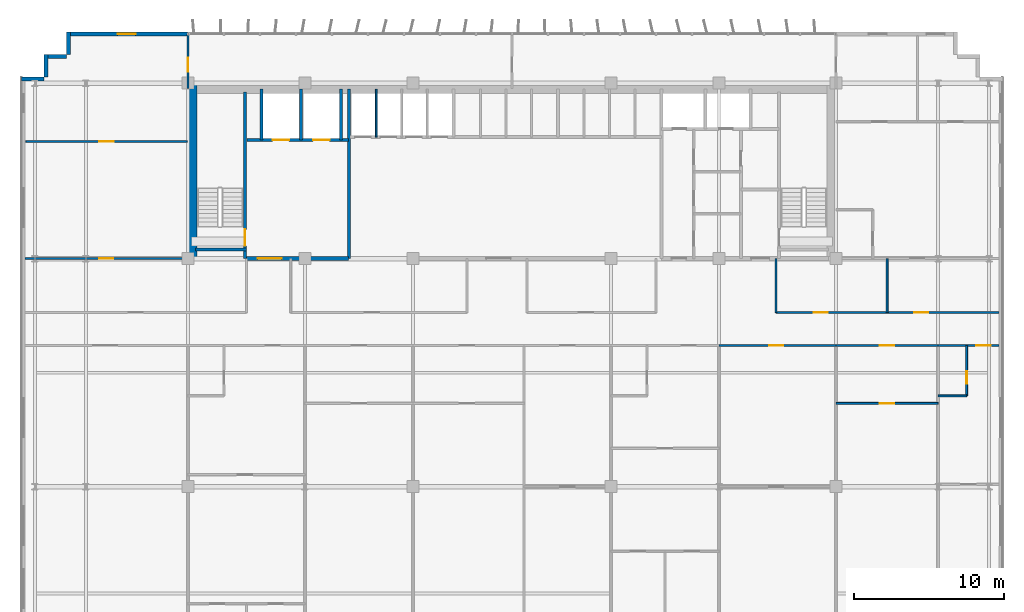
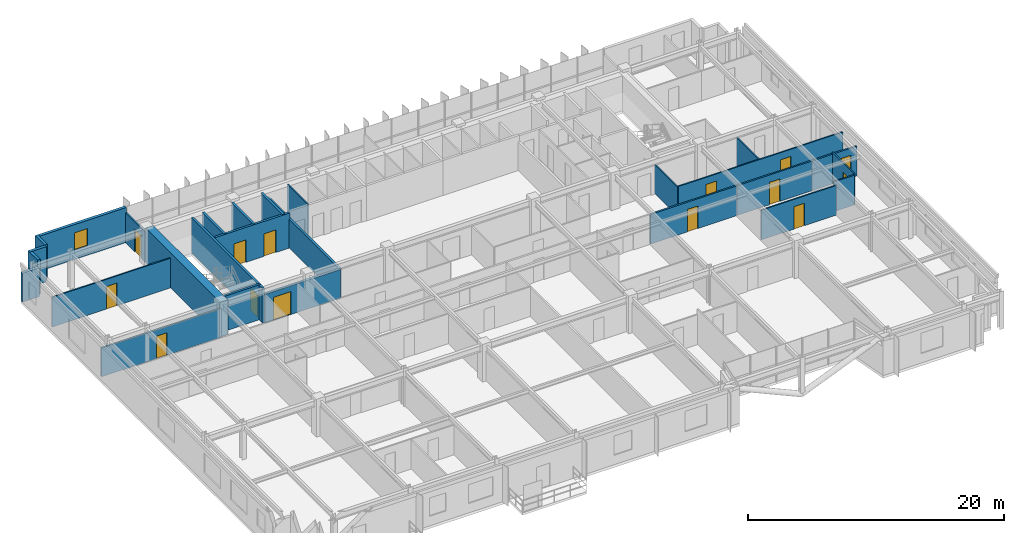
# One storey, part 21 of 26: 27 walls, 14 doors, 1 window, 15 openings.
"""IFC4 building model written with IfcOpenShell, lengths in metres."""

from ifc_helpers import new_model, si_unit, direction, frame, frame_2d, origin, place, context, subcontext, project, spatial, rectangle, extrude, source, transform, mapped, material, layer, layer_set, type_object, element, fill, save


model = new_model("IFC4")

# Units and contexts
model_context = context("Model", 3, precision=1e-05, world=origin(), true_north=direction((0.0, 1.0)))
body_context = subcontext(model_context, "Body", "Model", "MODEL_VIEW")
ifc_project = project(units=[si_unit("LENGTHUNIT", "METRE"), si_unit("AREAUNIT", "SQUARE_METRE"), si_unit("VOLUMEUNIT", "CUBIC_METRE"), si_unit("PLANEANGLEUNIT", "RADIAN"), si_unit("MASSUNIT", "GRAM", prefix="KILO")], contexts=[model_context])

# Site, building, storey
site_placement = place(None, origin())
site = spatial("IfcSite", under=ifc_project, at=site_placement, CompositionType="ELEMENT")
building_placement = place(site_placement, origin())
building = spatial("IfcBuilding", under=site, at=building_placement, Name="Trelvane Seafront Commons", CompositionType="ELEMENT")
storey_placement = place(building_placement, frame((0.0, 0.0, 124.89990234375)))
storey = spatial("IfcBuildingStorey", under=building, at=storey_placement, Name="L32", CompositionType="ELEMENT", Elevation=124.89990234375)

# Wall, opening, window
ifc_material_1 = material(Name="Precast concrete C40/50", Category="concrete")
ifc_layer_1 = layer(ifc_material_1, 0.260009765625, Name="ARCH-WALL-EXT260")
ifc_layer_set_1 = layer_set([ifc_layer_1], Name="Precast concrete C40/50")
wall_type_1 = type_object("IfcWallType", Name="ARCH-WALL-EXT260", PredefinedType="SOLIDWALL", material=ifc_layer_set_1)
wall_1_placement = place(storey_placement, frame((7.60009765625, 48.3701171875, 0.0), z_axis=(0.0, 0.0, 1.0), x_axis=(1.0, 0.0, 0.0)))
wall_1 = element("IfcWall", 1, at=wall_1_placement, inside=storey, type_object=wall_type_1, Name="EW-L32-NW-0605", PredefinedType="SOLIDWALL", context=body_context, shape_type="SweptSolid", body=[
    extrude(rectangle(XDim=8.0, YDim=0.260009765625, at=frame_2d((4.0, 0.0))), origin(), (0.0, 0.0, 1.0), 3.340087890625),
])
opening_1_placement = place(wall_1_placement, frame((3.30810546875, 0.0, 0.89990234375)))
opening_1 = element("IfcOpeningElement", 2, at=opening_1_placement, cuts=wall_1, Name="Opening W05", PredefinedType="OPENING", context=body_context, shape_type="SweptSolid", body=[
    extrude(rectangle(XDim=1.199951171875, YDim=1.64990234375, at=frame_2d((0.60009765625, 0.824951171875))), frame((0.0, 0.139892578125, 0.0), z_axis=(0.0, -1.0, 0.0), x_axis=(1.0, 0.0, 0.0)), (0.0, 0.0, 1.0), 0.280029296875),
])
ifc_material_2 = material(Name="Low-E coastal double glazing", Category="glass")
window_type = type_object("IfcWindowType", Name="ARCH-WIN-W05", PartitioningType="SINGLE_PANEL", PredefinedType="WINDOW", material=ifc_material_2)
shared_shape_1 = source(origin(), body_context, "Body", "SweptSolid", [
    extrude(rectangle(XDim=1.199951171875, YDim=1.64990234375, at=frame_2d((0.60009765625, 0.824951171875))), frame((0.0, 0.030029296875, 0.0), z_axis=(0.0, -1.0, 0.0), x_axis=(1.0, 0.0, 0.0)), (0.0, 0.0, 1.0), 0.06005859375),
])
window_placement = place(opening_1_placement, origin())
window = element("IfcWindow", 3, at=window_placement, inside=storey, type_object=window_type, Name="WIN-L32-00718", OverallHeight=1.64990234375, OverallWidth=1.199951171875, PartitioningType="SINGLE_PANEL", PredefinedType="WINDOW", context=body_context, shape_type="MappedRepresentation", body=[
    mapped(shared_shape_1, transform((0.0, 0.0, 0.0), x_axis=(1.0, 0.0, 0.0), y_axis=(0.0, 1.0, 0.0), z_axis=(0.0, 0.0, 1.0), scale=1.0)),
])
fill(opening_1, window)

# Walls
wall_2_placement = place(storey_placement, frame((4.5, 45.3701171875, 0.0), z_axis=(0.0, 0.0, 1.0), x_axis=(1.0, 0.0, 0.0)))
element("IfcWall", 4, at=wall_2_placement, inside=storey, type_object=wall_type_1, Name="EW-L32-00611", PredefinedType="SOLIDWALL", context=body_context, shape_type="SweptSolid", body=[
    extrude(rectangle(XDim=1.5, YDim=0.260009765625, at=frame_2d((0.75, 0.0))), origin(), (0.0, 0.0, 1.0), 2.752197265625),
])
for number, where, z_axis, x_axis, name in (
    (5, (6.1298828125, 45.5, 0.0), (0.0, 0.0, 1.0), (0.0, 1.0, 0.0), "EW-L32-00612"),
    (6, (6.0, 46.8701171875, 0.0), (0.0, 0.0, 1.0), (1.0, 0.0, 0.0), "EW-L32-00613"),
    (7, (7.6298828125, 47.0, 0.0), (0.0, 0.0, 1.0), (0.0, 1.0, 0.0), "EW-L32-00614"),
):
    element("IfcWall", number, at=place(storey_placement, frame(where, z_axis=z_axis, x_axis=x_axis)), inside=storey, type_object=wall_type_1, Name=name, PredefinedType="SOLIDWALL", context=body_context, shape_type="SweptSolid", body=[
        extrude(rectangle(XDim=1.5, YDim=0.260009765625, at=frame_2d((0.75, 0.0))), origin(), (0.0, 0.0, 1.0), 3.340087890625),
    ])

# Wall, opening, door
ifc_material_3 = material(Name="Concrete C40/50", Category="concrete")
ifc_layer_2 = layer(ifc_material_3, 0.25, Name="ARCH-WALL-FIRE250")
ifc_layer_set_2 = layer_set([ifc_layer_2], Name="Concrete C40/50")
wall_type_2 = type_object("IfcWallType", Name="ARCH-WALL-FIRE250", PredefinedType="PARTITIONING", material=ifc_layer_set_2)
wall_3_placement = place(storey_placement, frame((19.5, 33.39990234375, 0.0), z_axis=(0.0, 0.0, 1.0), x_axis=(1.0, 0.0, 0.0)))
wall_3 = element("IfcWall", 8, at=wall_3_placement, inside=storey, type_object=wall_type_2, Name="W-L32-CS-FFL-013", PredefinedType="PARTITIONING", context=body_context, shape_type="SweptSolid", body=[
    extrude(rectangle(XDim=6.800048828125, YDim=0.25, at=frame_2d((3.39990234375, 0.0))), origin(), (0.0, 0.0, 1.0), 2.752197265625),
])
opening_2_placement = place(wall_3_placement, frame((0.75, 0.0, 0.0)))
opening_2 = element("IfcOpeningElement", 9, at=opening_2_placement, cuts=wall_3, Name="Opening FD-L32-05", PredefinedType="OPENING", context=body_context, shape_type="SweptSolid", body=[
    extrude(rectangle(XDim=1.60009765625, YDim=2.199951171875, at=frame_2d((0.800048828125, 1.10009765625))), frame((0.0, 0.135009765625, 0.0), z_axis=(0.0, -1.0, 0.0), x_axis=(1.0, 0.0, 0.0)), (0.0, 0.0, 1.0), 0.27001953125),
])
ifc_material_4 = material(Name="Powder-coated aluminium frame", Category="aluminium")
door_type_1 = type_object("IfcDoorType", Name="ARCH-DR-FD60-1600", OperationType="DOUBLE_DOOR_SINGLE_SWING", PredefinedType="DOOR", material=ifc_material_4)
shared_shape_2 = source(origin(), body_context, "Body", "SweptSolid", [
    extrude(rectangle(XDim=1.60009765625, YDim=2.199951171875, at=frame_2d((0.800048828125, 1.10009765625))), frame((0.0, 0.02490234375, 0.0), z_axis=(0.0, -1.0, 0.0), x_axis=(1.0, 0.0, 0.0)), (0.0, 0.0, 1.0), 0.050048828125),
])
door_1_placement = place(opening_2_placement, origin())
door_1 = element("IfcDoor", 10, at=door_1_placement, inside=storey, type_object=door_type_1, Name="L32 Firefighting Lift Lobby Double Fire Door", OperationType="DOUBLE_DOOR_SINGLE_SWING", OverallHeight=2.199951171875, OverallWidth=1.60009765625, PredefinedType="DOOR", context=body_context, shape_type="MappedRepresentation", body=[
    mapped(shared_shape_2, transform((0.0, 0.0, 0.0), x_axis=(1.0, 0.0, 0.0), y_axis=(0.0, 1.0, 0.0), z_axis=(0.0, 0.0, 1.0), scale=1.0)),
])
fill(opening_2, door_1)

# Wall
ifc_material_5 = material(Name="Gypsum Drywall Acoustic Partition")
ifc_layer_3 = layer(ifc_material_5, 0.1201171875, Name="ARCH-WALL-PART120")
ifc_layer_set_3 = layer_set([ifc_layer_3], Name="Gypsum Drywall Acoustic Partition")
wall_type_3 = type_object("IfcWallType", Name="ARCH-WALL-PART120", PredefinedType="PARTITIONING", material=ifc_layer_set_3)
wall_4_placement = place(storey_placement, frame((28.14990234375, 41.5, 0.0), z_axis=(0.0, 0.0, 1.0), x_axis=(0.0, 1.0, 0.0)))
element("IfcWall", 11, at=wall_4_placement, inside=storey, type_object=wall_type_3, Name="W-L32-PL-DIV1-016", PredefinedType="PARTITIONING", context=body_context, shape_type="SweptSolid", body=[
    extrude(rectangle(XDim=3.199951171875, YDim=0.1201171875, at=frame_2d((1.60009765625, 0.0))), origin(), (0.0, 0.0, 1.0), 3.340087890625),
])

# Wall, openings, doors
wall_5_placement = place(storey_placement, frame((54.800048828125, 29.800048828125, 0.0), z_axis=(0.0, 0.0, 1.0), x_axis=(1.0, 0.0, 0.0)))
wall_5 = element("IfcWall", 12, at=wall_5_placement, inside=storey, type_object=wall_type_3, Name="W-L32-CORR-N-E-042", PredefinedType="PARTITIONING", context=body_context, shape_type="SweptSolid", body=[
    extrude(rectangle(XDim=14.849853515625, YDim=0.1201171875, at=frame_2d((7.4248046875, 0.0))), origin(), (0.0, 0.0, 1.0), 2.840087890625),
])
opening_3_placement = place(wall_5_placement, frame((2.5, 0.0, 0.0)))
opening_3 = element("IfcOpeningElement", 13, at=opening_3_placement, cuts=wall_5, Name="Opening D-L32-22", PredefinedType="OPENING", context=body_context, shape_type="SweptSolid", body=[
    extrude(rectangle(XDim=0.949951171875, YDim=2.14990234375, at=frame_2d((0.47509765625, 1.074951171875))), frame((0.0, 0.070068359375, 0.0), z_axis=(0.0, -1.0, 0.0), x_axis=(1.0, 0.0, 0.0)), (0.0, 0.0, 1.0), 0.14013671875),
])
opening_4_placement = place(wall_5_placement, frame((9.199951171875, 0.0, 0.0)))
opening_4 = element("IfcOpeningElement", 14, at=opening_4_placement, cuts=wall_5, Name="Opening D-L32-23", PredefinedType="OPENING", context=body_context, shape_type="SweptSolid", body=[
    extrude(rectangle(XDim=0.949951171875, YDim=2.14990234375, at=frame_2d((0.47509765625, 1.074951171875))), frame((0.0, 0.070068359375, 0.0), z_axis=(0.0, -1.0, 0.0), x_axis=(1.0, 0.0, 0.0)), (0.0, 0.0, 1.0), 0.14013671875),
])
ifc_material_6 = material(Name="Acoustic timber door leaf", Category="wood")
door_type_2 = type_object("IfcDoorType", Name="ARCH-DR-INT950", OperationType="NOTDEFINED", PredefinedType="DOOR", material=ifc_material_6)
shared_shape_3 = source(origin(), body_context, "Body", "SweptSolid", [
    extrude(rectangle(XDim=0.949951171875, YDim=2.14990234375, at=frame_2d((0.47509765625, 1.074951171875))), frame((0.0, 0.02490234375, 0.0), z_axis=(0.0, -1.0, 0.0), x_axis=(1.0, 0.0, 0.0)), (0.0, 0.0, 1.0), 0.050048828125),
])
door_2_placement = place(opening_3_placement, origin())
door_2 = element("IfcDoor", 15, at=door_2_placement, inside=storey, type_object=door_type_2, Name="L32 Door 22", OperationType="SINGLE_SWING_RIGHT", OverallHeight=2.14990234375, OverallWidth=0.949951171875, PredefinedType="DOOR", context=body_context, shape_type="MappedRepresentation", body=[
    mapped(shared_shape_3, transform((0.0, 0.0, 0.0), x_axis=(1.0, 0.0, 0.0), y_axis=(0.0, 1.0, 0.0), z_axis=(0.0, 0.0, 1.0), scale=1.0)),
])
fill(opening_3, door_2)
door_3_placement = place(opening_4_placement, origin())
door_3 = element("IfcDoor", 16, at=door_3_placement, inside=storey, type_object=door_type_2, Name="L32 Door 23", OperationType="SINGLE_SWING_LEFT", OverallHeight=2.14990234375, OverallWidth=0.949951171875, PredefinedType="DOOR", context=body_context, shape_type="MappedRepresentation", body=[
    mapped(shared_shape_3, transform((0.0, 0.0, 0.0), x_axis=(1.0, 0.0, 0.0), y_axis=(0.0, 1.0, 0.0), z_axis=(0.0, 0.0, 1.0), scale=1.0)),
])
fill(opening_4, door_3)

# Walls
for number, where, z_axis, x_axis, name in (
    (17, (62.199951171875, 29.800048828125, 0.0), (0.0, 0.0, 1.0), (0.0, 1.0, 0.0), "W-L32-N-LAUN-DV-043"),
    (18, (54.800048828125, 29.800048828125, 0.0), (0.0, 0.0, 1.0), (0.0, 1.0, 0.0), "W-L32-N-SPUR-E2-049"),
):
    element("IfcWall", number, at=place(storey_placement, frame(where, z_axis=z_axis, x_axis=x_axis)), inside=storey, type_object=wall_type_3, Name=name, PredefinedType="PARTITIONING", context=body_context, shape_type="SweptSolid", body=[
        extrude(rectangle(XDim=3.599853515625, YDim=0.1201171875, at=frame_2d((1.7998046875, 0.0))), origin(), (0.0, 0.0, 1.0), 2.752197265625),
    ])

# Wall, opening, door
wall_6_placement = place(storey_placement, frame((4.800048828125, 41.199951171875, 0.0), z_axis=(0.0, 0.0, 1.0), x_axis=(1.0, 0.0, 0.0)))
wall_6 = element("IfcWall", 19, at=wall_6_placement, inside=storey, type_object=wall_type_3, Name="W-L32-NW-LGDV-050", PredefinedType="PARTITIONING", context=body_context, shape_type="SweptSolid", body=[
    extrude(rectangle(XDim=10.75, YDim=0.1201171875, at=frame_2d((5.375, 0.0))), origin(), (0.0, 0.0, 1.0), 2.840087890625),
])
opening_5_placement = place(wall_6_placement, frame((4.89990234375, 0.0, 0.0)))
opening_5 = element("IfcOpeningElement", 20, at=opening_5_placement, cuts=wall_6, Name="Opening D-L32-24", PredefinedType="OPENING", context=body_context, shape_type="SweptSolid", body=[
    extrude(rectangle(XDim=0.949951171875, YDim=2.14990234375, at=frame_2d((0.47509765625, 1.074951171875))), frame((0.0, 0.070068359375, 0.0), z_axis=(0.0, -1.0, 0.0), x_axis=(1.0, 0.0, 0.0)), (0.0, 0.0, 1.0), 0.14013671875),
])
door_4_placement = place(opening_5_placement, origin())
door_4 = element("IfcDoor", 21, at=door_4_placement, inside=storey, type_object=door_type_2, Name="L32 Door 24", OperationType="SINGLE_SWING_RIGHT", OverallHeight=2.14990234375, OverallWidth=0.949951171875, PredefinedType="DOOR", context=body_context, shape_type="MappedRepresentation", body=[
    mapped(shared_shape_3, transform((0.0, 0.0, 0.0), x_axis=(1.0, 0.0, 0.0), y_axis=(0.0, 1.0, 0.0), z_axis=(0.0, 0.0, 1.0), scale=1.0)),
])
fill(opening_5, door_4)

wall_7_placement = place(storey_placement, frame((58.800048828125, 23.75, 0.0), z_axis=(0.0, 0.0, 1.0), x_axis=(1.0, 0.0, 0.0)))
wall_7 = element("IfcWall", 22, at=wall_7_placement, inside=storey, type_object=wall_type_3, Name="W-L32-U8-DIV-093", PredefinedType="PARTITIONING", context=body_context, shape_type="SweptSolid", body=[
    extrude(rectangle(XDim=6.800048828125, YDim=0.1201171875, at=frame_2d((3.39990234375, 0.0))), origin(), (0.0, 0.0, 1.0), 2.840087890625),
])
opening_6_placement = place(wall_7_placement, frame((2.925048828125, 0.0, 0.0)))
opening_6 = element("IfcOpeningElement", 23, at=opening_6_placement, cuts=wall_7, Name="Opening D-L32-53", PredefinedType="OPENING", context=body_context, shape_type="SweptSolid", body=[
    extrude(rectangle(XDim=0.949951171875, YDim=2.14990234375, at=frame_2d((0.47509765625, 1.074951171875))), frame((0.0, 0.070068359375, 0.0), z_axis=(0.0, -1.0, 0.0), x_axis=(1.0, 0.0, 0.0)), (0.0, 0.0, 1.0), 0.14013671875),
])
door_5_placement = place(opening_6_placement, origin())
door_5 = element("IfcDoor", 24, at=door_5_placement, inside=storey, type_object=door_type_2, Name="L32 Door 53", OperationType="SINGLE_SWING_LEFT", OverallHeight=2.14990234375, OverallWidth=0.949951171875, PredefinedType="DOOR", context=body_context, shape_type="MappedRepresentation", body=[
    mapped(shared_shape_3, transform((0.0, 0.0, 0.0), x_axis=(1.0, 0.0, 0.0), y_axis=(0.0, 1.0, 0.0), z_axis=(0.0, 0.0, 1.0), scale=1.0)),
])
fill(opening_6, door_5)

wall_8_placement = place(storey_placement, frame((67.5, 24.25, 0.0), z_axis=(0.0, 0.0, 1.0), x_axis=(0.0, 1.0, 0.0)))
wall_8 = element("IfcWall", 25, at=wall_8_placement, inside=storey, type_object=wall_type_3, Name="W-L32-U9-BE-095", PredefinedType="PARTITIONING", context=body_context, shape_type="SweptSolid", body=[
    extrude(rectangle(XDim=3.35009765625, YDim=0.1201171875, at=frame_2d((1.675048828125, 0.0))), origin(), (0.0, 0.0, 1.0), 2.989990234375),
])
opening_7_placement = place(wall_8_placement, frame((0.800048828125, 0.0, 0.0)))
opening_7 = element("IfcOpeningElement", 26, at=opening_7_placement, cuts=wall_8, Name="Opening D-L32-55", PredefinedType="OPENING", context=body_context, shape_type="SweptSolid", body=[
    extrude(rectangle(XDim=0.85009765625, YDim=2.10009765625, at=frame_2d((0.425048828125, 1.050048828125))), frame((0.0, 0.070068359375, 0.0), z_axis=(0.0, -1.0, 0.0), x_axis=(1.0, 0.0, 0.0)), (0.0, 0.0, 1.0), 0.14013671875),
])
door_type_3 = type_object("IfcDoorType", Name="ARCH-DR-INT850", OperationType="NOTDEFINED", PredefinedType="DOOR", material=ifc_material_6)
shared_shape_4 = source(origin(), body_context, "Body", "SweptSolid", [
    extrude(rectangle(XDim=0.85009765625, YDim=2.10009765625, at=frame_2d((0.425048828125, 1.050048828125))), frame((0.0, 0.02490234375, 0.0), z_axis=(0.0, -1.0, 0.0), x_axis=(1.0, 0.0, 0.0)), (0.0, 0.0, 1.0), 0.050048828125),
])
door_6_placement = place(opening_7_placement, origin())
door_6 = element("IfcDoor", 27, at=door_6_placement, inside=storey, type_object=door_type_3, Name="L32 Door 55", OperationType="SINGLE_SWING_LEFT", OverallHeight=2.10009765625, OverallWidth=0.85009765625, PredefinedType="DOOR", context=body_context, shape_type="MappedRepresentation", body=[
    mapped(shared_shape_4, transform((0.0, 0.0, 0.0), x_axis=(1.0, 0.0, 0.0), y_axis=(0.0, 1.0, 0.0), z_axis=(0.0, 0.0, 1.0), scale=1.0)),
])
fill(opening_7, door_6)

# Wall
wall_9_placement = place(storey_placement, frame((65.60009765625, 24.25, 0.0), z_axis=(0.0, 0.0, 1.0), x_axis=(1.0, 0.0, 0.0)))
element("IfcWall", 28, at=wall_9_placement, inside=storey, type_object=wall_type_3, Name="W-L32-U9-BS-096", PredefinedType="PARTITIONING", context=body_context, shape_type="SweptSolid", body=[
    extrude(rectangle(XDim=1.89990234375, YDim=0.1201171875, at=frame_2d((0.949951171875, 0.0))), origin(), (0.0, 0.0, 1.0), 2.840087890625),
])

# Wall, opening, door
ifc_layer_4 = layer(ifc_material_5, 0.14990234375, Name="ARCH-WALL-PART150")
ifc_layer_set_4 = layer_set([ifc_layer_4], Name="Gypsum Drywall Acoustic Partition")
wall_type_4 = type_object("IfcWallType", Name="ARCH-WALL-PART150", PredefinedType="PARTITIONING", material=ifc_layer_set_4)
wall_10_placement = place(storey_placement, frame((4.75, 33.39990234375, 0.0), z_axis=(0.0, 0.0, 1.0), x_axis=(1.0, 0.0, 0.0)))
wall_10 = element("IfcWall", 29, at=wall_10_placement, inside=storey, type_object=wall_type_4, Name="W-L32-NW-ENT-051", PredefinedType="PARTITIONING", context=body_context, shape_type="SweptSolid", body=[
    extrude(rectangle(XDim=10.85009765625, YDim=0.14990234375, at=frame_2d((5.425048828125, 0.0))), origin(), (0.0, 0.0, 1.0), 2.752197265625),
])
opening_8_placement = place(wall_10_placement, frame((4.93994140625, 0.0, 0.0)))
opening_8 = element("IfcOpeningElement", 30, at=opening_8_placement, cuts=wall_10, Name="Opening FD-L32-25", PredefinedType="OPENING", context=body_context, shape_type="SweptSolid", body=[
    extrude(rectangle(XDim=0.949951171875, YDim=2.14990234375, at=frame_2d((0.47509765625, 1.074951171875))), frame((0.0, 0.0849609375, 0.0), z_axis=(0.0, -1.0, 0.0), x_axis=(1.0, 0.0, 0.0)), (0.0, 0.0, 1.0), 0.169921875),
])
door_type_4 = type_object("IfcDoorType", Name="ARCH-DR-FD60-950", OperationType="NOTDEFINED", PredefinedType="DOOR", material=ifc_material_4)
door_7_placement = place(opening_8_placement, origin())
door_7 = element("IfcDoor", 31, at=door_7_placement, inside=storey, type_object=door_type_4, Name="L32 NW Suite Entrance Door", OperationType="SINGLE_SWING_LEFT", OverallHeight=2.14990234375, OverallWidth=0.949951171875, PredefinedType="DOOR", context=body_context, shape_type="MappedRepresentation", body=[
    mapped(shared_shape_3, transform((0.0, 0.0, 0.0), x_axis=(1.0, 0.0, 0.0), y_axis=(0.0, 1.0, 0.0), z_axis=(0.0, 0.0, 1.0), scale=1.0)),
])
fill(opening_8, door_7)

wall_11_placement = place(storey_placement, frame((15.60009765625, 44.75, 0.0), z_axis=(0.0, 0.0, 1.0), x_axis=(0.0, 1.0, 0.0)))
wall_11 = element("IfcWall", 32, at=wall_11_placement, inside=storey, type_object=wall_type_4, Name="W-L32-N-LINK-W-059", PredefinedType="PARTITIONING", context=body_context, shape_type="SweptSolid", body=[
    extrude(rectangle(XDim=3.610107421875, YDim=0.14990234375, at=frame_2d((1.80517578125, 0.0))), origin(), (0.0, 0.0, 1.0), 2.840087890625),
])
opening_9_placement = place(wall_11_placement, frame((1.10009765625, 0.0, 0.0)))
opening_9 = element("IfcOpeningElement", 33, at=opening_9_placement, cuts=wall_11, Name="Opening FD-L32-31", PredefinedType="OPENING", context=body_context, shape_type="SweptSolid", body=[
    extrude(rectangle(XDim=0.949951171875, YDim=2.14990234375, at=frame_2d((0.47509765625, 1.074951171875))), frame((0.0, 0.0849609375, 0.0), z_axis=(0.0, -1.0, 0.0), x_axis=(1.0, 0.0, 0.0)), (0.0, 0.0, 1.0), 0.169921875),
])
door_8_placement = place(opening_9_placement, origin())
door_8 = element("IfcDoor", 34, at=door_8_placement, inside=storey, type_object=door_type_4, Name="L32 Door 31", OperationType="SINGLE_SWING_LEFT", OverallHeight=2.14990234375, OverallWidth=0.949951171875, PredefinedType="DOOR", context=body_context, shape_type="MappedRepresentation", body=[
    mapped(shared_shape_3, transform((0.0, 0.0, 0.0), x_axis=(1.0, 0.0, 0.0), y_axis=(0.0, 1.0, 0.0), z_axis=(0.0, 0.0, 1.0), scale=1.0)),
])
fill(opening_9, door_8)

wall_12_placement = place(storey_placement, frame((51.0, 27.60009765625, 0.0), z_axis=(0.0, 0.0, 1.0), x_axis=(1.0, 0.0, 0.0)))
wall_12 = element("IfcWall", 35, at=wall_12_placement, inside=storey, type_object=wall_type_4, Name="W-L32-CS-BAY-7-090", PredefinedType="PARTITIONING", context=body_context, shape_type="SweptSolid", body=[
    extrude(rectangle(XDim=7.800048828125, YDim=0.14990234375, at=frame_2d((3.89990234375, 0.0))), origin(), (0.0, 0.0, 1.0), 2.840087890625),
])
opening_10_placement = place(wall_12_placement, frame((3.3330078125, 0.0, 0.0)))
opening_10 = element("IfcOpeningElement", 36, at=opening_10_placement, cuts=wall_12, Name="Opening FD-L32-50", PredefinedType="OPENING", context=body_context, shape_type="SweptSolid", body=[
    extrude(rectangle(XDim=0.949951171875, YDim=2.14990234375, at=frame_2d((0.47509765625, 1.074951171875))), frame((0.0, 0.0849609375, 0.0), z_axis=(0.0, -1.0, 0.0), x_axis=(1.0, 0.0, 0.0)), (0.0, 0.0, 1.0), 0.169921875),
])
door_9_placement = place(opening_10_placement, origin())
door_9 = element("IfcDoor", 37, at=door_9_placement, inside=storey, type_object=door_type_4, Name="L32 Bay 07 Entrance Door", OperationType="SINGLE_SWING_RIGHT", OverallHeight=2.14990234375, OverallWidth=0.949951171875, PredefinedType="DOOR", context=body_context, shape_type="MappedRepresentation", body=[
    mapped(shared_shape_3, transform((0.0, 0.0, 0.0), x_axis=(1.0, 0.0, 0.0), y_axis=(0.0, 1.0, 0.0), z_axis=(0.0, 0.0, 1.0), scale=1.0)),
])
fill(opening_10, door_9)

wall_13_placement = place(storey_placement, frame((58.800048828125, 27.60009765625, 0.0), z_axis=(0.0, 0.0, 1.0), x_axis=(1.0, 0.0, 0.0)))
wall_13 = element("IfcWall", 38, at=wall_13_placement, inside=storey, type_object=wall_type_4, Name="W-L32-CS-BAY-8-092", PredefinedType="PARTITIONING", context=body_context, shape_type="SweptSolid", body=[
    extrude(rectangle(XDim=6.800048828125, YDim=0.14990234375, at=frame_2d((3.39990234375, 0.0))), origin(), (0.0, 0.0, 1.0), 2.840087890625),
])
opening_11_placement = place(wall_13_placement, frame((2.925048828125, 0.0, 0.0)))
opening_11 = element("IfcOpeningElement", 39, at=opening_11_placement, cuts=wall_13, Name="Opening FD-L32-52", PredefinedType="OPENING", context=body_context, shape_type="SweptSolid", body=[
    extrude(rectangle(XDim=0.949951171875, YDim=2.14990234375, at=frame_2d((0.47509765625, 1.074951171875))), frame((0.0, 0.0849609375, 0.0), z_axis=(0.0, -1.0, 0.0), x_axis=(1.0, 0.0, 0.0)), (0.0, 0.0, 1.0), 0.169921875),
])
door_10_placement = place(opening_11_placement, origin())
door_10 = element("IfcDoor", 40, at=door_10_placement, inside=storey, type_object=door_type_4, Name="L32 Bay 08 Entrance Door", OperationType="SINGLE_SWING_RIGHT", OverallHeight=2.14990234375, OverallWidth=0.949951171875, PredefinedType="DOOR", context=body_context, shape_type="MappedRepresentation", body=[
    mapped(shared_shape_3, transform((0.0, 0.0, 0.0), x_axis=(1.0, 0.0, 0.0), y_axis=(0.0, 1.0, 0.0), z_axis=(0.0, 0.0, 1.0), scale=1.0)),
])
fill(opening_11, door_10)

wall_14_placement = place(storey_placement, frame((65.60009765625, 27.60009765625, 0.0), z_axis=(0.0, 0.0, 1.0), x_axis=(1.0, 0.0, 0.0)))
wall_14 = element("IfcWall", 41, at=wall_14_placement, inside=storey, type_object=wall_type_4, Name="W-L32-CS-BAY-9-097", PredefinedType="PARTITIONING", context=body_context, shape_type="SweptSolid", body=[
    extrude(rectangle(XDim=4.054931640625, YDim=0.14990234375, at=frame_2d((2.02734375, 0.0))), origin(), (0.0, 0.0, 1.0), 2.840087890625),
])
opening_12_placement = place(wall_14_placement, frame((2.5439453125, 0.0, 0.0)))
opening_12 = element("IfcOpeningElement", 42, at=opening_12_placement, cuts=wall_14, Name="Opening FD-L32-56", PredefinedType="OPENING", context=body_context, shape_type="SweptSolid", body=[
    extrude(rectangle(XDim=0.949951171875, YDim=2.14990234375, at=frame_2d((0.47509765625, 1.074951171875))), frame((0.0, 0.0849609375, 0.0), z_axis=(0.0, -1.0, 0.0), x_axis=(1.0, 0.0, 0.0)), (0.0, 0.0, 1.0), 0.169921875),
])
door_11_placement = place(opening_12_placement, origin())
door_11 = element("IfcDoor", 43, at=door_11_placement, inside=storey, type_object=door_type_4, Name="L32 Unit 09 Entrance Door", OperationType="SINGLE_SWING_RIGHT", OverallHeight=2.14990234375, OverallWidth=0.949951171875, PredefinedType="DOOR", context=body_context, shape_type="MappedRepresentation", body=[
    mapped(shared_shape_3, transform((0.0, 0.0, 0.0), x_axis=(1.0, 0.0, 0.0), y_axis=(0.0, 1.0, 0.0), z_axis=(0.0, 0.0, 1.0), scale=1.0)),
])
fill(opening_12, door_11)

# Wall, openings, doors
ifc_layer_5 = layer(ifc_material_3, 0.199951171875, Name="ARCH-WALL-SHAFT200")
ifc_layer_set_5 = layer_set([ifc_layer_5], Name="Concrete C40/50")
wall_type_5 = type_object("IfcWallType", Name="ARCH-WALL-SHAFT200", PredefinedType="SOLIDWALL", material=ifc_layer_set_5)
wall_15_placement = place(storey_placement, frame((19.550048828125, 41.300048828125, 0.0), z_axis=(0.0, 0.0, 1.0), x_axis=(1.0, 0.0, 0.0)))
wall_15 = element("IfcWall", 44, at=wall_15_placement, inside=storey, type_object=wall_type_5, Name="W-L32-FFL-FRONT-008", PredefinedType="SOLIDWALL", context=body_context, shape_type="SweptSolid", body=[
    extrude(rectangle(XDim=6.75, YDim=0.199951171875, at=frame_2d((3.375, 0.0))), origin(), (0.0, 0.0, 1.0), 3.340087890625),
])
opening_13_placement = place(wall_15_placement, frame((1.699951171875, 0.0, 0.0)))
opening_13 = element("IfcOpeningElement", 45, at=opening_13_placement, cuts=wall_15, Name="Opening LD-FF1-L32", PredefinedType="OPENING", context=body_context, shape_type="SweptSolid", body=[
    extrude(rectangle(XDim=1.10009765625, YDim=2.14990234375, at=frame_2d((0.550048828125, 1.074951171875))), frame((0.0, 0.10986328125, 0.0), z_axis=(0.0, -1.0, 0.0), x_axis=(1.0, 0.0, 0.0)), (0.0, 0.0, 1.0), 0.219970703125),
])
opening_14_placement = place(wall_15_placement, frame((4.39990234375, 0.0, 0.0)))
opening_14 = element("IfcOpeningElement", 46, at=opening_14_placement, cuts=wall_15, Name="Opening LD-FF2-L32", PredefinedType="OPENING", context=body_context, shape_type="SweptSolid", body=[
    extrude(rectangle(XDim=1.10009765625, YDim=2.14990234375, at=frame_2d((0.550048828125, 1.074951171875))), frame((0.0, 0.10986328125, 0.0), z_axis=(0.0, -1.0, 0.0), x_axis=(1.0, 0.0, 0.0)), (0.0, 0.0, 1.0), 0.219970703125),
])
ifc_material_7 = material(Name="Stainless steel balustrade", Category="steel")
door_type_5 = type_object("IfcDoorType", Name="ARCH-DR-LD1100", OperationType="DOUBLE_DOOR_SLIDING", PredefinedType="DOOR", material=ifc_material_7)
shared_shape_5 = source(origin(), body_context, "Body", "SweptSolid", [
    extrude(rectangle(XDim=1.10009765625, YDim=2.14990234375, at=frame_2d((0.550048828125, 1.074951171875))), frame((0.0, 0.02490234375, 0.0), z_axis=(0.0, -1.0, 0.0), x_axis=(1.0, 0.0, 0.0)), (0.0, 0.0, 1.0), 0.050048828125),
])
door_12_placement = place(opening_13_placement, origin())
door_12 = element("IfcDoor", 47, at=door_12_placement, inside=storey, type_object=door_type_5, Name="L32 Firefighting Lift FFL-1 Landing Door", OperationType="DOUBLE_DOOR_SLIDING", OverallHeight=2.14990234375, OverallWidth=1.10009765625, PredefinedType="DOOR", context=body_context, shape_type="MappedRepresentation", body=[
    mapped(shared_shape_5, transform((0.0, 0.0, 0.0), x_axis=(1.0, 0.0, 0.0), y_axis=(0.0, 1.0, 0.0), z_axis=(0.0, 0.0, 1.0), scale=1.0)),
])
fill(opening_13, door_12)
door_13_placement = place(opening_14_placement, origin())
door_13 = element("IfcDoor", 48, at=door_13_placement, inside=storey, type_object=door_type_5, Name="L32 Firefighting Lift FFL-2 Landing Door", OperationType="DOUBLE_DOOR_SLIDING", OverallHeight=2.14990234375, OverallWidth=1.10009765625, PredefinedType="DOOR", context=body_context, shape_type="MappedRepresentation", body=[
    mapped(shared_shape_5, transform((0.0, 0.0, 0.0), x_axis=(1.0, 0.0, 0.0), y_axis=(0.0, 1.0, 0.0), z_axis=(0.0, 0.0, 1.0), scale=1.0)),
])
fill(opening_14, door_13)

# Walls
for number, where, z_axis, x_axis, name in (
    (49, (20.5, 41.300048828125, 0.0), (0.0, 0.0, 1.0), (0.0, 1.0, 0.0), "W-L32-FFL-SH-W-009"),
    (50, (23.14990234375, 41.300048828125, 0.0), (0.0, 0.0, 1.0), (0.0, 1.0, 0.0), "W-L32-FFL-DIV-010"),
    (51, (25.800048828125, 41.300048828125, 0.0), (0.0, 0.0, 1.0), (0.0, 1.0, 0.0), "W-L32-FFL-SH-E-011"),
):
    element("IfcWall", number, at=place(storey_placement, frame(where, z_axis=z_axis, x_axis=x_axis)), inside=storey, type_object=wall_type_5, Name=name, PredefinedType="SOLIDWALL", context=body_context, shape_type="SweptSolid", body=[
        extrude(rectangle(XDim=3.39990234375, YDim=0.199951171875, at=frame_2d((1.699951171875, 0.0))), origin(), (0.0, 0.0, 1.0), 3.340087890625),
    ])
wall_16_placement = place(storey_placement, frame((26.35009765625, 33.39990234375, 0.0), z_axis=(0.0, 0.0, 1.0), x_axis=(0.0, 1.0, 0.0)))
element("IfcWall", 52, at=wall_16_placement, inside=storey, type_object=wall_type_5, Name="W-L32-FFL-EAST-012", PredefinedType="SOLIDWALL", context=body_context, shape_type="SweptSolid", body=[
    extrude(rectangle(XDim=11.300048828125, YDim=0.199951171875, at=frame_2d((5.64990234375, 0.0))), origin(), (0.0, 0.0, 1.0), 2.752197265625),
])
ifc_material_8 = material(Name="Concrete C60/75", Category="concrete")
ifc_layer_6 = layer(ifc_material_8, 0.699951171875, Name="STR-WALL-CORE700")
ifc_layer_set_6 = layer_set([ifc_layer_6], Name="Concrete C60/75")
wall_type_6 = type_object("IfcWallType", Name="STR-WALL-CORE700", PredefinedType="SHEAR", material=ifc_layer_set_6)
wall_17_placement = place(storey_placement, frame((15.85009765625, 33.39990234375, 0.0), z_axis=(0.0, 0.0, 1.0), x_axis=(0.0, 1.0, 0.0)))
element("IfcWall", 53, at=wall_17_placement, inside=storey, type_object=wall_type_6, Name="W-L32-CW-END-002", PredefinedType="SHEAR", context=body_context, shape_type="SweptSolid", body=[
    extrude(rectangle(XDim=11.7001953125, YDim=0.699951171875, at=frame_2d((5.85009765625, 0.0))), origin(), (0.0, 0.0, 1.0), 3.340087890625),
])
ifc_material_9 = material(Name="Concrete C50/60", Category="concrete")
ifc_layer_7 = layer(ifc_material_9, 0.199951171875, Name="STR-WALL-STAIR200")
ifc_layer_set_7 = layer_set([ifc_layer_7], Name="Concrete C50/60")
wall_type_7 = type_object("IfcWallType", Name="STR-WALL-STAIR200", PredefinedType="SHEAR", material=ifc_layer_set_7)
wall_18_placement = place(storey_placement, frame((16.10009765625, 34.0, 0.0), z_axis=(0.0, 0.0, 1.0), x_axis=(1.0, 0.0, 0.0)))
element("IfcWall", 54, at=wall_18_placement, inside=storey, type_object=wall_type_7, Name="W-L32-ST1-S-004", PredefinedType="SHEAR", context=body_context, shape_type="SweptSolid", body=[
    extrude(rectangle(XDim=3.39990234375, YDim=0.199951171875, at=frame_2d((1.699951171875, 0.0))), origin(), (0.0, 0.0, 1.0), 3.340087890625),
])

# Wall, opening, door
wall_19_placement = place(storey_placement, frame((19.39990234375, 33.39990234375, 0.0), z_axis=(0.0, 0.0, 1.0), x_axis=(0.0, 1.0, 0.0)))
wall_19 = element("IfcWall", 55, at=wall_19_placement, inside=storey, type_object=wall_type_7, Name="W-L32-ST1-E-005", PredefinedType="SHEAR", context=body_context, shape_type="SweptSolid", body=[
    extrude(rectangle(XDim=11.10009765625, YDim=0.199951171875, at=frame_2d((5.550048828125, 0.0))), origin(), (0.0, 0.0, 1.0), 3.340087890625),
])
opening_15_placement = place(wall_19_placement, frame((0.85009765625, 0.0, 0.0)))
opening_15 = element("IfcOpeningElement", 56, at=opening_15_placement, cuts=wall_19, Name="Opening ST-D1-L32", PredefinedType="OPENING", context=body_context, shape_type="SweptSolid", body=[
    extrude(rectangle(XDim=1.10009765625, YDim=2.14990234375, at=frame_2d((0.550048828125, 1.074951171875))), frame((0.0, 0.10986328125, 0.0), z_axis=(0.0, -1.0, 0.0), x_axis=(1.0, 0.0, 0.0)), (0.0, 0.0, 1.0), 0.219970703125),
])
door_type_6 = type_object("IfcDoorType", Name="ARCH-DR-FD90-1100", OperationType="NOTDEFINED", PredefinedType="DOOR", material=ifc_material_4)
door_14_placement = place(opening_15_placement, origin())
door_14 = element("IfcDoor", 57, at=door_14_placement, inside=storey, type_object=door_type_6, Name="L32 Stair ST-1 Lobby Fire Door", OperationType="SINGLE_SWING_LEFT", OverallHeight=2.14990234375, OverallWidth=1.10009765625, PredefinedType="DOOR", context=body_context, shape_type="MappedRepresentation", body=[
    mapped(shared_shape_5, transform((0.0, 0.0, 0.0), x_axis=(1.0, 0.0, 0.0), y_axis=(0.0, 1.0, 0.0), z_axis=(0.0, 0.0, 1.0), scale=1.0)),
])
fill(opening_15, door_14)

save(model, "model.ifc")
